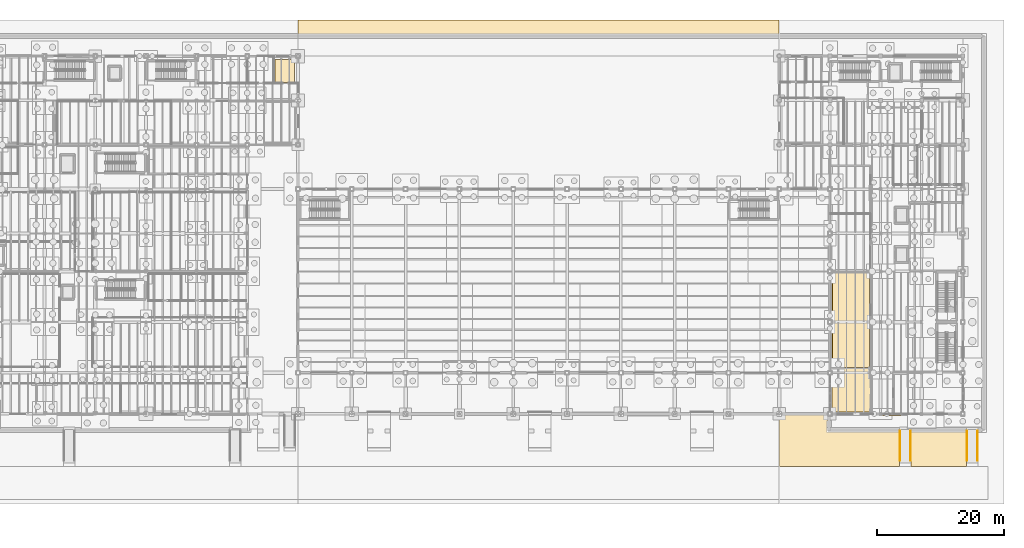
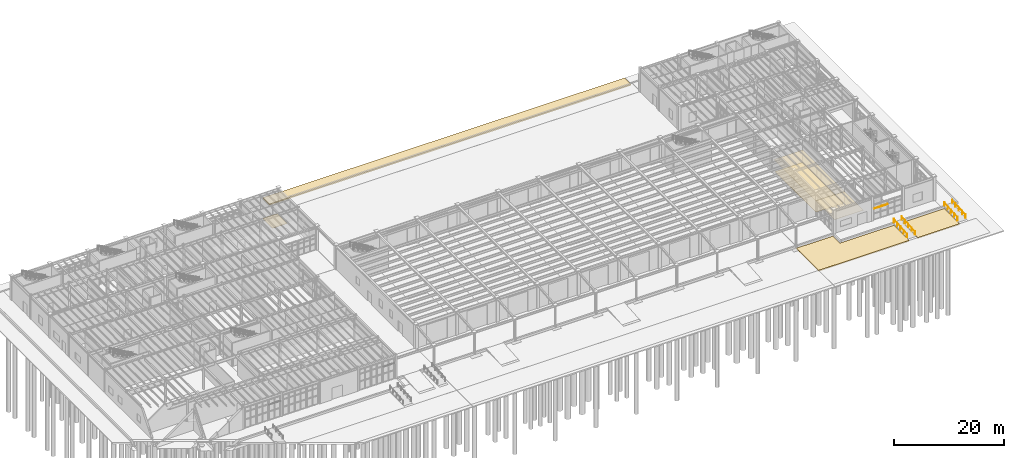
# One storey, part 82 of 86: 7 coverings, 4 railings, 1 shading device.
"""IFC4 building model written with IfcOpenShell, lengths in metres."""

from ifc_helpers import new_model, si_unit, direction, frame, origin, origin_2d, place, context, subcontext, project, spatial, polyline, rectangle, circle, outline, extrude, material, layer, layer_set, type_object, element, save


model = new_model("IFC4")

# Units and contexts
model_context = context("Model", 3, precision=1e-05, world=origin(), true_north=direction((0.0, 1.0)))
body_context = subcontext(model_context, "Body", "Model", "MODEL_VIEW")
ifc_project = project(units=[si_unit("LENGTHUNIT", "METRE"), si_unit("AREAUNIT", "SQUARE_METRE"), si_unit("VOLUMEUNIT", "CUBIC_METRE"), si_unit("PLANEANGLEUNIT", "RADIAN"), si_unit("MASSUNIT", "GRAM", prefix="KILO"), si_unit("THERMODYNAMICTEMPERATUREUNIT", "KELVIN"), si_unit("POWERUNIT", "WATT")], contexts=[model_context])

# Site, building, storey
site_placement = place(None, origin())
site = spatial("IfcSite", under=ifc_project, at=site_placement, CompositionType="ELEMENT")
building_placement = place(site_placement, origin())
building = spatial("IfcBuilding", under=site, at=building_placement, Name="Zhenchuan Central Fire Station", CompositionType="ELEMENT")
storey_placement = place(building_placement, frame((0.0, 0.0, 0.449951171875)))
storey = spatial("IfcBuildingStorey", under=building, at=storey_placement, Name="L01", CompositionType="ELEMENT", Elevation=0.449951171875)

# Coverings
ifc_material_1 = material(Name="Gypsum plasterboard acoustic ceiling", Category="gypsum")
ifc_layer_1 = layer(ifc_material_1, 0.01806640625, Name="Gypsum plasterboard acoustic ceiling", Category="gypsum")
ifc_layer_set_1 = layer_set([ifc_layer_1], Name="Gypsum plasterboard acoustic ceiling")
covering_type_1 = type_object("IfcCoveringType", Name="COV-CEIL-GYP", PredefinedType="CEILING", material=ifc_layer_set_1)
covering_1_placement = place(storey_placement, frame((0.0, 0.0, 2.650146484375)))
element("IfcCovering", 1, at=covering_1_placement, inside=storey, type_object=covering_type_1, Name="Fire Control Room Acoustic Ceiling", PredefinedType="CEILING", context=body_context, shape_type="SweptSolid", body=[
    extrude(outline(polyline([(140.300048828125, 0.300048828125), (140.300048828125, 7.199951171875), (146.39990234375, 7.199951171875), (146.39990234375, 0.300048828125), (140.300048828125, 0.300048828125)])), origin(), (0.0, 0.0, 1.0), 0.017822265625),
])
covering_2_placement = place(storey_placement, frame((0.0, 0.0, 2.650146484375)))
element("IfcCovering", 2, at=covering_2_placement, inside=storey, type_object=covering_type_1, Name="Emergency Dispatch Hall Acoustic Ceiling", PredefinedType="CEILING", context=body_context, shape_type="SweptSolid", body=[
    extrude(outline(polyline([(140.300048828125, 7.199951171875), (140.300048828125, 22.39990234375), (146.39990234375, 22.39990234375), (146.39990234375, 7.199951171875), (140.300048828125, 7.199951171875)])), origin(), (0.0, 0.0, 1.0), 0.017822265625),
])
ifc_material_2 = material(Name="Heavy-duty slip-resistant ceramic tile flooring")
ifc_layer_2 = layer(ifc_material_2, 0.014892578125, Name="Heavy-duty slip-resistant ceramic tile flooring")
ifc_layer_set_2 = layer_set([ifc_layer_2], Name="Heavy-duty slip-resistant ceramic tile flooring")
covering_type_2 = type_object("IfcCoveringType", Name="COV-FLR-RES", PredefinedType="FLOORING", material=ifc_layer_set_2)
covering_3_placement = place(storey_placement, origin())
element("IfcCovering", 3, at=covering_3_placement, inside=storey, type_object=covering_type_2, Name="Crew Turnout Accessible WC Ceramic Tile Flooring", PredefinedType="FLOORING", context=body_context, shape_type="SweptSolid", body=[
    extrude(outline(polyline([(52.35009765625, 52.35009765625), (55.449951171875, 52.35009765625), (55.449951171875, 55.949951171875), (52.35009765625, 55.949951171875), (52.35009765625, 52.35009765625)])), origin(), (0.0, 0.0, 1.0), 0.01513671875),
])
covering_4_placement = place(storey_placement, origin())
element("IfcCovering", 4, at=covering_4_placement, inside=storey, type_object=covering_type_2, Name="Emergency Dispatch Hall Ceramic Tile Flooring", PredefinedType="FLOORING", context=body_context, shape_type="SweptSolid", body=[
    extrude(outline(polyline([(140.449951171875, 7.35009765625), (146.25, 7.35009765625), (146.25, 22.25), (140.449951171875, 22.25), (140.449951171875, 7.35009765625)])), origin(), (0.0, 0.0, 1.0), 0.01513671875),
])
ifc_material_3 = material(Name="Granite stone boulevard paving", Category="masonry")
ifc_layer_3 = layer(ifc_material_3, 0.239990234375, Name="Granite stone boulevard paving", Category="masonry")
ifc_layer_set_3 = layer_set([ifc_layer_3], Name="Granite stone boulevard paving")
covering_type_3 = type_object("IfcCoveringType", Name="COV-SITE-PAV", PredefinedType="FLOORING", material=ifc_layer_set_3)
covering_5_placement = place(storey_placement, frame((0.0, 0.0, -0.68994140625)))
element("IfcCovering", 5, at=covering_5_placement, inside=storey, type_object=covering_type_3, Name="Zhenchuan Boulevard Grade Paving Zone C-06", PredefinedType="FLOORING", context=body_context, shape_type="SweptSolid", body=[
    extrude(outline(polyline([(56.02490234375, 62.199951171875), (131.97509765625, 62.199951171875), (131.97509765625, 59.830078125), (56.02490234375, 59.830078125), (56.02490234375, 62.199951171875)])), origin(), (0.0, 0.0, 1.0), 0.239990234375),
])
covering_6_placement = place(storey_placement, frame((0.0, 0.0, -0.68994140625)))
element("IfcCovering", 6, at=covering_6_placement, inside=storey, type_object=covering_type_3, Name="Zhenchuan Boulevard Grade Paving Zone E-09", PredefinedType="FLOORING", context=body_context, shape_type="SweptSolid", body=[
    extrude(outline(polyline([(132.02490234375, -0.169921875), (139.669921875, -0.169921875), (139.669921875, -2.72998046875), (150.993896484375, -2.72998046875), (150.993896484375, -8.2958984375), (132.02490234375, -8.2958984375), (132.02490234375, -0.169921875)])), origin(), (0.0, 0.0, 1.0), 0.239990234375),
])
covering_7_placement = place(storey_placement, frame((0.0, 0.0, -0.68994140625)))
element("IfcCovering", 7, at=covering_7_placement, inside=storey, type_object=covering_type_3, Name="Zhenchuan Boulevard Grade Paving Zone E-10", PredefinedType="FLOORING", context=body_context, shape_type="SweptSolid", body=[
    extrude(outline(polyline([(161.593994140625, -2.72998046875), (161.593994140625, -8.2958984375), (152.805908203125, -8.2958984375), (152.805908203125, -2.72998046875), (161.593994140625, -2.72998046875)])), origin(), (0.0, 0.0, 1.0), 0.239990234375),
])

# Railings
ifc_material_4 = material(Name="Galvanised powder-coated steel", Category="steel")
railing_type = type_object("IfcRailingType", Name="RL-RMP-HND", PredefinedType="HANDRAIL", material=ifc_material_4)
for number, where, name in (
    (8, (151.080078125, -7.39990234375, -0.416748046875), "Headquarters Accessible Wheelchair Ramp RP-03 Handrail L"),
    (9, (152.719970703125, -7.39990234375, -0.416748046875), "Headquarters Accessible Wheelchair Ramp RP-03 Handrail R"),
    (10, (161.679931640625, -7.39990234375, -0.416748046875), "East Promenade Accessible Ramp RP-05 Handrail L"),
    (11, (163.320068359375, -7.39990234375, -0.416748046875), "East Promenade Accessible Ramp RP-05 Handrail R"),
):
    element("IfcRailing", number, at=place(storey_placement, frame(where)), inside=storey, type_object=railing_type, Name=name, PredefinedType="HANDRAIL", context=body_context, shape_type="SweptSolid", body=[
        extrude(circle(Radius=0.02392578125, at=origin_2d()), frame((0.0, 0.0, 0.8759765625), z_axis=(0.0, 0.996542931718, 0.083079391203), x_axis=(-1.0, 0.0, 0.0)), (0.0, 0.0, 1.0), 4.766357421875),
        extrude(circle(Radius=0.02099609375, at=origin_2d()), origin(), (0.0, 0.0, 1.0), 0.851806640625),
        extrude(circle(Radius=0.02099609375, at=origin_2d()), frame((0.0, 1.1875, 0.09912109375)), (0.0, 0.0, 1.0), 0.851806640625),
        extrude(circle(Radius=0.02099609375, at=origin_2d()), frame((0.0, 2.375, 0.197998046875)), (0.0, 0.0, 1.0), 0.851806640625),
        extrude(circle(Radius=0.02099609375, at=origin_2d()), frame((0.0, 3.5625, 0.296875)), (0.0, 0.0, 1.0), 0.851806640625),
        extrude(circle(Radius=0.02099609375, at=origin_2d()), frame((0.0, 4.75, 0.39599609375)), (0.0, 0.0, 1.0), 0.851806640625),
    ])

# Shading device
ifc_material_5 = material(Name="Anodised aluminium EN AW-6063", Category="aluminium")
ifc_layer_4 = layer(ifc_material_5, 0.0400390625, Name="Anodised aluminium EN AW-6063", Category="aluminium")
ifc_layer_set_4 = layer_set([ifc_layer_4], Name="Anodised aluminium EN AW-6063")
shading_device_type = type_object("IfcShadingDeviceType", Name="SHD-ALU-FIN", PredefinedType="JALOUSIE", material=ifc_layer_set_4)
shading_device_placement = place(storey_placement, frame((149.756103515625, -0.138427734375, 2.629638671875), z_axis=(0.0, 0.0, 1.0), x_axis=(1.0, 0.0, 0.0)))
element("IfcShadingDevice", 12, at=shading_device_placement, inside=storey, type_object=shading_device_type, Name="Perforated Aluminium Sun-Shading Louvre 008", PredefinedType="JALOUSIE", context=body_context, shape_type="SweptSolid", body=[
    extrude(rectangle(XDim=2.8720703125, YDim=0.219970703125, at=origin_2d()), origin(), (0.0, 0.0, 1.0), 0.044921875),
])

save(model, "model.ifc")
